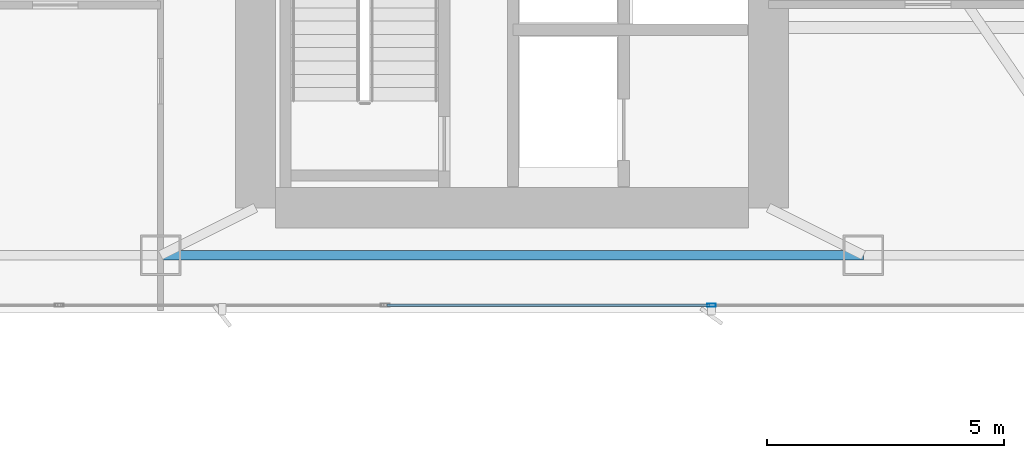
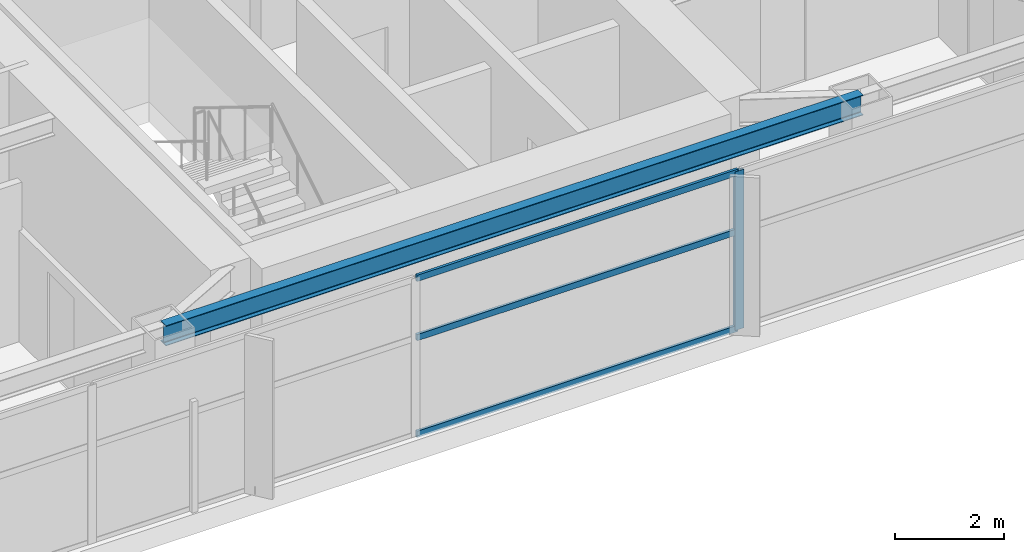
# One storey, part 7 of 30: 4 members, 1 beam, 1 element without a shape of its own.
"""IFC4 building model written with IfcOpenShell, lengths in metres."""

from ifc_helpers import new_model, si_unit, direction, frame, origin, origin_2d, place, context, subcontext, project, spatial, hollow_rectangle, i_section, extrude, material, layer, layer_set, material_profile, profile_set, type_object, element, aggregate, save


model = new_model("IFC4")

# Units and contexts
model_context = context("Model", 3, precision=1e-05, world=origin(), true_north=direction((0.0, 1.0)))
body_context = subcontext(model_context, "Body", "Model", "MODEL_VIEW")
ifc_project = project(units=[si_unit("LENGTHUNIT", "METRE"), si_unit("AREAUNIT", "SQUARE_METRE"), si_unit("VOLUMEUNIT", "CUBIC_METRE"), si_unit("PLANEANGLEUNIT", "RADIAN"), si_unit("MASSUNIT", "GRAM", prefix="KILO")], contexts=[model_context])

# Site, building, storey
site_placement = place(None, origin())
site = spatial("IfcSite", under=ifc_project, at=site_placement, CompositionType="ELEMENT")
building_placement = place(site_placement, origin())
building = spatial("IfcBuilding", under=site, at=building_placement, Name="Calvorn Quay Hotel", CompositionType="ELEMENT")
storey_placement = place(building_placement, frame((0.0, 0.0, 191.300048828125)))
storey = spatial("IfcBuildingStorey", under=building, at=storey_placement, Name="L47", CompositionType="ELEMENT", Elevation=191.300048828125)

# Beam
ifc_material_1 = material(Name="Steel Q355B", Category="steel")
ifc_material_profile_1 = material_profile(ifc_material_1, i_section(OverallWidth=0.199951171875, OverallDepth=0.449951171875, WebThickness=0.009033203125, FlangeThickness=0.013916015625, FilletRadius=0.01611328125, at=origin_2d()), Name="HN450x200x9x14")
ifc_profile_set_1 = profile_set([ifc_material_profile_1], Name="Steel Q355B")
beam_type = type_object("IfcBeamType", Name="BM-SPANDREL-Z3", PredefinedType="SPANDREL", material=ifc_profile_set_1)
beam_placement = place(storey_placement, frame((19.60009765625, 3.60009765625, 3.31494140625), z_axis=(1.0, 0.0, 0.0), x_axis=(0.0, 1.0, 0.0)))
element("IfcBeam", 1, at=beam_placement, inside=storey, type_object=beam_type, Name="Beam BSP-L47-S3", PredefinedType="SPANDREL", context=body_context, shape_type="SweptSolid", body=[
    extrude(i_section(OverallWidth=0.199951171875, OverallDepth=0.449951171875, WebThickness=0.009033203125, FlangeThickness=0.013916015625, FilletRadius=0.01611328125, at=origin_2d()), origin(), (0.0, 0.0, 1.0), 14.7998046875),
])

# Curtain wall, members
ifc_material_2 = material(Name="Champagne Bronze Anodised Aluminium and Low-E Glass", Category="aluminium")
ifc_layer = layer(ifc_material_2, 0.219970703125)
ifc_layer_set = layer_set([ifc_layer], Name="CW-SYS-Z3")
curtain_wall_type = type_object("IfcCurtainWallType", Name="CW-SYS-Z3", PredefinedType="NOTDEFINED", material=ifc_layer_set)
curtain_wall_placement = place(storey_placement, origin())
curtain_wall = element("IfcCurtainWall", 2, at=curtain_wall_placement, inside=storey, type_object=curtain_wall_type, Name="Tower South Waterfront Curtain Wall (L47)", PredefinedType="NOTDEFINED")
ifc_material_3 = material(Name="Champagne Bronze Anodised Aluminium 6063-T6", Category="aluminium")
ifc_material_profile_2 = material_profile(ifc_material_3, hollow_rectangle(XDim=0.068115234375, YDim=0.18505859375, WallThickness=0.00390625, at=origin_2d()), Name="ALU-M185x68x4")
ifc_profile_set_2 = profile_set([ifc_material_profile_2], Name="Champagne Bronze Anodised Aluminium 6063-T6")
member_type_1 = type_object("IfcMemberType", Name="CW-SYS-Z3-MUL", PredefinedType="MULLION", material=ifc_profile_set_2)
member_1_placement = place(storey_placement, frame((31.199951171875, 2.550048828125, 0.0), z_axis=(0.0, 0.0, 1.0), x_axis=(0.0, 1.0, 0.0)))
member_1 = element("IfcMember", 3, at=member_1_placement, type_object=member_type_1, Name="CW-L47-S mullion 4", PredefinedType="MULLION", context=body_context, shape_type="SweptSolid", body=[
    extrude(hollow_rectangle(XDim=0.068115234375, YDim=0.18505859375, WallThickness=0.00390625, at=origin_2d()), origin(), (0.0, 0.0, 1.0), 3.56005859375),
])
ifc_material_4 = material(Name="Champagne Bronze Anodised Aluminium 6063-T6", Category="aluminium")
ifc_material_profile_3 = material_profile(ifc_material_4, hollow_rectangle(XDim=0.05810546875, YDim=0.139892578125, WallThickness=0.003173828125, at=origin_2d()), Name="ALU-T140x58x3.2")
ifc_profile_set_3 = profile_set([ifc_material_profile_3], Name="Champagne Bronze Anodised Aluminium 6063-T6")
member_type_2 = type_object("IfcMemberType", Name="CW-SYS-Z3-TRN", PredefinedType="USERDEFINED", material=ifc_profile_set_3)
member_2_placement = place(storey_placement, frame((24.36328125, 2.550048828125, 0.030029296875), z_axis=(1.0, 0.0, 0.0), x_axis=(0.0, 1.0, 0.0)))
member_2 = element("IfcMember", 4, at=member_2_placement, type_object=member_type_2, Name="CW-L47-S transom 3.1", ObjectType="TRANSOM", PredefinedType="USERDEFINED", context=body_context, shape_type="SweptSolid", body=[
    extrude(hollow_rectangle(XDim=0.05810546875, YDim=0.139892578125, WallThickness=0.003173828125, at=origin_2d()), origin(), (0.0, 0.0, 1.0), 6.806640625),
])
member_3_placement = place(storey_placement, frame((24.36328125, 2.550048828125, 2.199951171875), z_axis=(1.0, 0.0, 0.0), x_axis=(0.0, 1.0, 0.0)))
member_3 = element("IfcMember", 5, at=member_3_placement, type_object=member_type_2, Name="CW-L47-S transom 3.2", ObjectType="TRANSOM", PredefinedType="USERDEFINED", context=body_context, shape_type="SweptSolid", body=[
    extrude(hollow_rectangle(XDim=0.05810546875, YDim=0.139892578125, WallThickness=0.003173828125, at=origin_2d()), origin(), (0.0, 0.0, 1.0), 6.806640625),
])
member_4_placement = place(storey_placement, frame((24.36328125, 2.550048828125, 3.530029296875), z_axis=(1.0, 0.0, 0.0), x_axis=(0.0, 1.0, 0.0)))
member_4 = element("IfcMember", 6, at=member_4_placement, type_object=member_type_2, Name="CW-L47-S transom 3.3", ObjectType="TRANSOM", PredefinedType="USERDEFINED", context=body_context, shape_type="SweptSolid", body=[
    extrude(hollow_rectangle(XDim=0.05810546875, YDim=0.139892578125, WallThickness=0.003173828125, at=origin_2d()), origin(), (0.0, 0.0, 1.0), 6.806640625),
])
aggregate(curtain_wall, [member_1, member_2, member_3, member_4])

save(model, "model.ifc")
